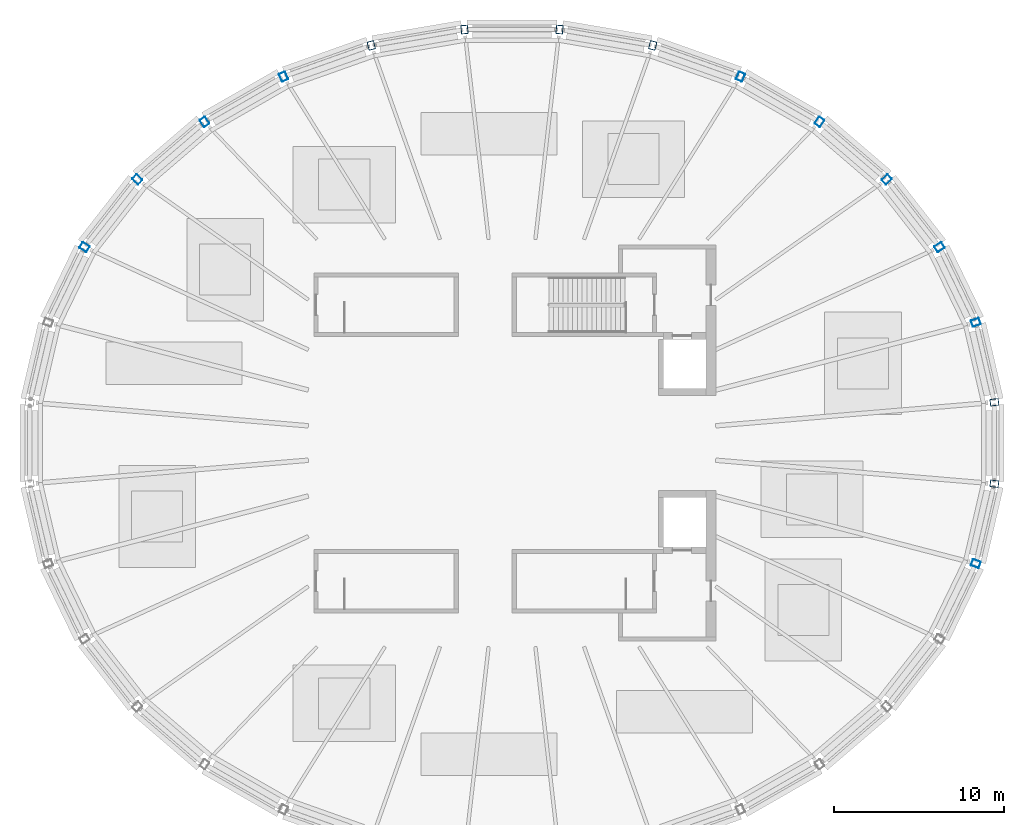
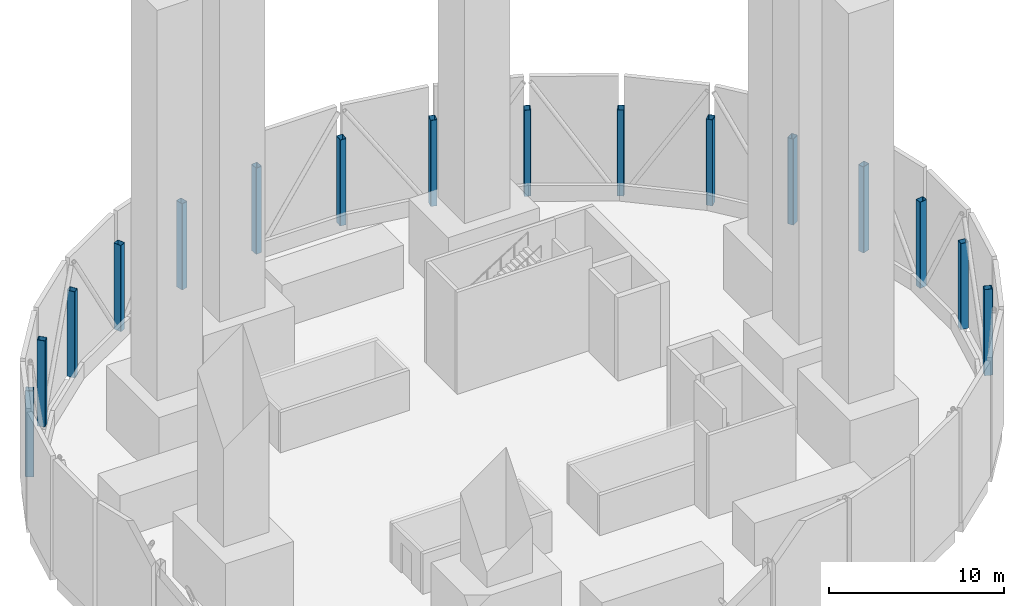
# One storey, part 2 of 7: 16 columns.
"""IFC4 building model written with IfcOpenShell, lengths in metres."""

from ifc_helpers import new_model, si_unit, direction, frame, origin, origin_2d, place, context, subcontext, project, spatial, hollow_rectangle, extrude, material, material_profile, profile_set, type_object, element, save


model = new_model("IFC4")

# Units and contexts
model_context = context("Model", 3, precision=1e-05, world=origin(), true_north=direction((0.0, 1.0)))
body_context = subcontext(model_context, "Body", "Model", "MODEL_VIEW")
ifc_project = project(units=[si_unit("LENGTHUNIT", "METRE"), si_unit("AREAUNIT", "SQUARE_METRE"), si_unit("VOLUMEUNIT", "CUBIC_METRE"), si_unit("PLANEANGLEUNIT", "RADIAN"), si_unit("MASSUNIT", "GRAM", prefix="KILO")], contexts=[model_context])

# Site, building, storey
site_placement = place(None, origin())
site = spatial("IfcSite", under=ifc_project, at=site_placement, CompositionType="ELEMENT")
building_placement = place(site_placement, origin())
building = spatial("IfcBuilding", under=site, at=building_placement, Name="Halqa Exchange Tower", CompositionType="ELEMENT")
storey_placement = place(building_placement, frame((0.0, 0.0, 349.300048828125)))
storey = spatial("IfcBuildingStorey", under=building, at=storey_placement, Name="Roof crown", CompositionType="ELEMENT", Elevation=349.300048828125)

# Columns
ifc_material = material(Name="Steel S355", Category="steel")
ifc_material_profile = material_profile(ifc_material, hollow_rectangle(XDim=0.39990234375, YDim=0.5, WallThickness=0.02001953125, InnerFilletRadius=0.030029296875, OuterFilletRadius=0.0400390625, at=origin_2d()), Name="RHS 500x400x20")
ifc_profile_set = profile_set([ifc_material_profile], Name="Steel S355")
column_type = type_object("IfcColumnType", Name="CROWN FRAME column RHS 500x400x20", PredefinedType="COLUMN", material=ifc_profile_set)
for number, where, z_axis, x_axis, name in (
    (1, (28.36279296875, 2.394287109375, 0.0), (0.0, 0.0, 1.0), (-0.114160389816, 0.993462332148, 0.0), "Crown frame column 1"),
    (2, (27.272705078125, 7.09130859375, 0.0), (0.0, 0.0, 1.0), (-0.333624233576, 0.942706142321, 0.0), "Crown frame column 2"),
    (3, (25.134765625, 11.515625, 0.0), (0.0, 0.0, 1.0), (-0.529140496257, 0.848534227489, 0.0), "Crown frame column 3"),
    (4, (22.03076171875, 15.497314453125, 0.0), (0.0, 0.0, 1.0), (-0.691578612608, 0.722301199351, 0.0), "Crown frame column 4"),
    (5, (18.080078125, 18.883544921875, 0.0), (0.0, 0.0, 1.0), (-0.817906779671, 0.575350762377, 0.0), "Crown frame column 5"),
    (6, (13.434814453125, 21.544189453125, 0.0), (0.0, 0.0, 1.0), (-0.909128549752, 0.416515641994, 0.0), "Crown frame column 6"),
    (7, (8.273193359375, 23.376708984375, 0.0), (0.0, 0.0, 1.0), (-0.967819064366, 0.251647091481, 0.0), "Crown frame column 7"),
    (8, (2.79345703125, 24.31103515625, 0.0), (0.0, 0.0, 1.0), (-0.996455078514, 0.084126550533, 0.0), "Crown frame column 8"),
    (9, (-2.79345703125, 24.31103515625, 0.0), (0.0, 0.0, 1.0), (-0.996455078514, -0.084126550533, 0.0), "Crown frame column 9"),
    (10, (-8.273193359375, 23.376708984375, 0.0), (0.0, 0.0, 1.0), (-0.967819064366, -0.251647091481, 0.0), "Crown frame column 10"),
    (11, (-13.434814453125, 21.544189453125, 0.0), (0.0, 0.0, 1.0), (-0.909128549752, -0.416515641994, 0.0), "Crown frame column 11"),
    (12, (-18.080078125, 18.883544921875, 0.0), (0.0, 0.0, 1.0), (-0.817906779671, -0.575350762377, 0.0), "Crown frame column 12"),
    (13, (-22.03076171875, 15.497314453125, 0.0), (0.0, 0.0, 1.0), (-0.691578612608, -0.722301199351, 0.0), "Crown frame column 13"),
    (14, (-25.134765625, 11.515625, 0.0), (0.0, 0.0, 1.0), (-0.529140496257, -0.848534227489, 0.0), "Crown frame column 14"),
    (15, (27.272705078125, -7.09130859375, 0.0), (0.0, 0.0, 1.0), (0.333624233576, 0.942706142321, 0.0), "Crown frame column 31"),
    (16, (28.36279296875, -2.394287109375, 0.0), (0.0, 0.0, 1.0), (0.114160389816, 0.993462332148, 0.0), "Crown frame column 32"),
):
    element("IfcColumn", number, at=place(storey_placement, frame(where, z_axis=z_axis, x_axis=x_axis)), inside=storey, type_object=column_type, Name=name, PredefinedType="COLUMN", context=body_context, shape_type="SweptSolid", body=[
        extrude(hollow_rectangle(XDim=0.39990234375, YDim=0.5, WallThickness=0.02001953125, InnerFilletRadius=0.030029296875, OuterFilletRadius=0.0400390625, at=origin_2d()), origin(), (0.0, 0.0, 1.0), 6.0),
    ])

save(model, "model.ifc")
